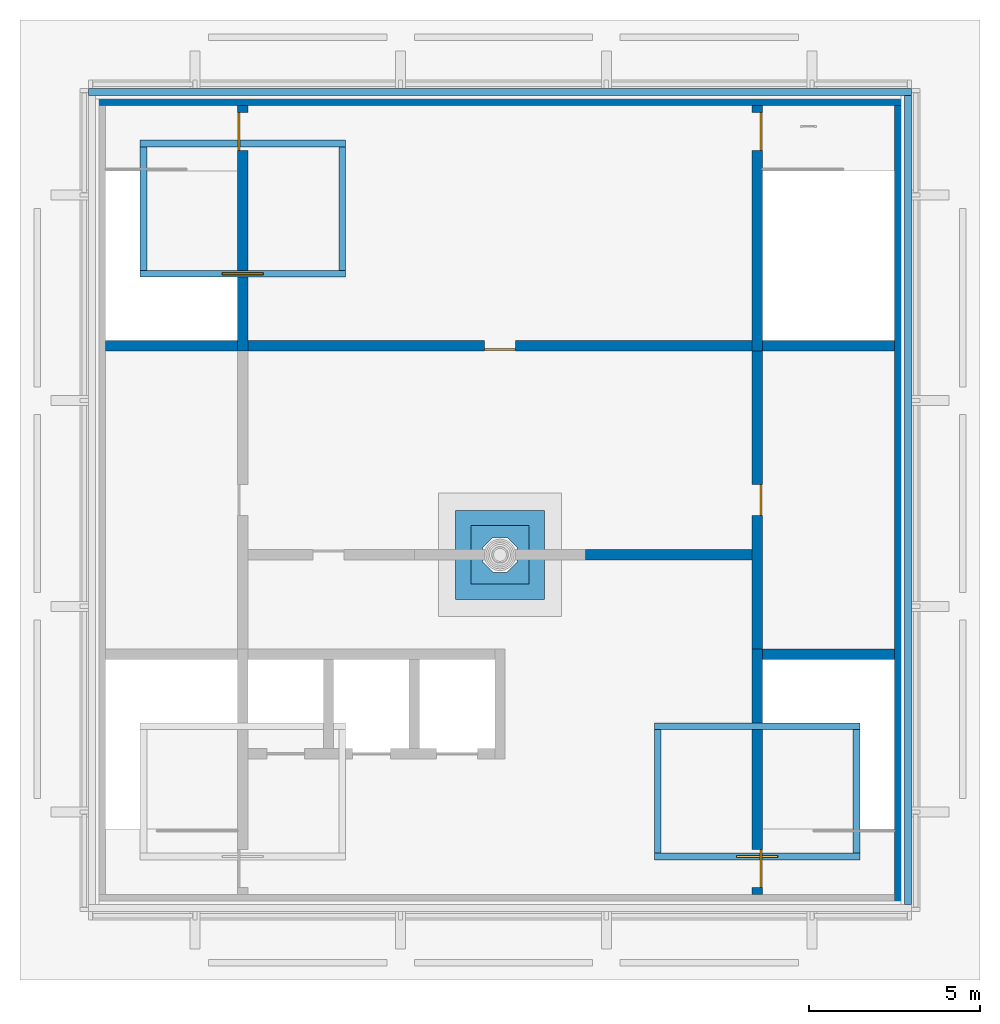
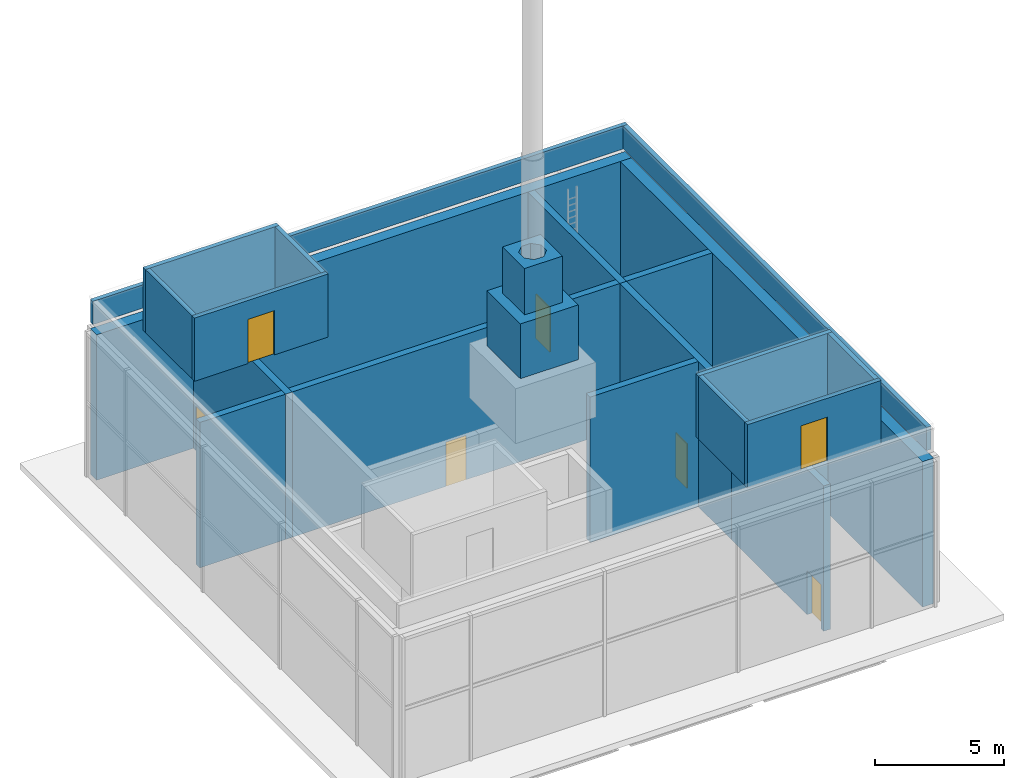
# One storey, part 4 of 8: 23 walls, 7 doors, 7 openings.
"""IFC4 building model written with IfcOpenShell, lengths in metres."""

from ifc_helpers import new_model, si_unit, direction, frame, frame_2d, origin, place, context, subcontext, project, spatial, polyline, rectangle, outline, extrude, material, layer, layer_set, type_object, element, fill, save


model = new_model("IFC4")

# Units and contexts
model_context = context("Model", 3, precision=1e-05, world=origin(), true_north=direction((0.0, 1.0)))
body_context = subcontext(model_context, "Body", "Model", "MODEL_VIEW")
ifc_project = project(units=[si_unit("LENGTHUNIT", "METRE"), si_unit("AREAUNIT", "SQUARE_METRE"), si_unit("VOLUMEUNIT", "CUBIC_METRE"), si_unit("PLANEANGLEUNIT", "RADIAN"), si_unit("MASSUNIT", "GRAM", prefix="KILO")], contexts=[model_context])

# Site, building, storey
site_placement = place(None, origin())
site = spatial("IfcSite", under=ifc_project, at=site_placement, CompositionType="ELEMENT")
building_placement = place(site_placement, origin())
building = spatial("IfcBuilding", under=site, at=building_placement, Name="Amberfall Residences", CompositionType="ELEMENT")
storey_placement = place(building_placement, frame((0.0, 0.0, 301.60009765625)))
storey = spatial("IfcBuildingStorey", under=building, at=storey_placement, Name="L81 Crown", CompositionType="ELEMENT", Elevation=301.60009765625)

# Wall, opening, door
ifc_material_1 = material(Name="Concrete blockwork", Category="masonry")
ifc_layer_1 = layer(ifc_material_1, 0.300048828125)
ifc_layer_set_1 = layer_set([ifc_layer_1], Name="Blockwork partition 300")
wall_type_1 = type_object("IfcWallType", Name="Blockwork partition 300", PredefinedType="PARTITIONING", material=ifc_layer_set_1)
wall_1_placement = place(storey_placement, frame((82.0, 41.14990234375, 0.0), z_axis=(0.0, 0.0, 1.0), x_axis=(0.0, 1.0, 0.0)))
wall_1 = element("IfcWall", 1, at=wall_1_placement, inside=storey, type_object=wall_type_1, Name="L81 Crown core wall W2M", PredefinedType="PARTITIONING", context=body_context, shape_type="SweptSolid", body=[
    extrude(rectangle(XDim=8.7001953125, YDim=0.300048828125, at=frame_2d((4.35009765625, 0.0))), origin(), (0.0, 0.0, 1.0), 6.89990234375),
])
opening_1_placement = place(wall_1_placement, frame((3.89990234375, 0.0, 0.0)))
opening_1 = element("IfcOpeningElement", 2, at=opening_1_placement, cuts=wall_1, Name="Opening RD1", PredefinedType="OPENING", context=body_context, shape_type="SweptSolid", body=[
    extrude(rectangle(XDim=0.89990234375, YDim=2.10009765625, at=frame_2d((0.449951171875, 1.050048828125))), frame((0.0, 0.159912109375, 0.0), z_axis=(0.0, -1.0, 0.0), x_axis=(1.0, 0.0, 0.0)), (0.0, 0.0, 1.0), 0.320068359375),
])
ifc_material_2 = material(Name="Steel fire door set", Category="steel")
door_type_1 = type_object("IfcDoorType", Name="Service room door 900 x 2100", OperationType="SINGLE_SWING_LEFT", PredefinedType="DOOR", material=ifc_material_2)
door_1_placement = place(opening_1_placement, origin())
door_1 = element("IfcDoor", 3, at=door_1_placement, inside=storey, type_object=door_type_1, Name="RD1 L81 Crown", OperationType="SINGLE_SWING_RIGHT", OverallHeight=2.10009765625, OverallWidth=0.89990234375, PredefinedType="DOOR", context=body_context, shape_type="SweptSolid", body=[
    extrude(rectangle(XDim=0.89990234375, YDim=2.10009765625, at=frame_2d((0.449951171875, 1.050048828125))), frame((0.0, -0.08740234375, 0.0), z_axis=(0.0, -1.0, 0.0), x_axis=(1.0, 0.0, 0.0)), (0.0, 0.0, 1.0), 0.050048828125),
])
fill(opening_1, door_1)

wall_2_placement = place(storey_placement, frame((67.14990234375, 50.0, 0.0), z_axis=(0.0, 0.0, 1.0), x_axis=(1.0, 0.0, 0.0)))
wall_2 = element("IfcWall", 4, at=wall_2_placement, inside=storey, type_object=wall_type_1, Name="L81 Crown core wall W5", PredefinedType="PARTITIONING", context=body_context, shape_type="SweptSolid", body=[
    extrude(rectangle(XDim=14.7001953125, YDim=0.300048828125, at=frame_2d((7.35009765625, 0.0))), origin(), (0.0, 0.0, 1.0), 6.89990234375),
])
opening_2_placement = place(wall_2_placement, frame((6.89990234375, 0.0, 0.0)))
opening_2 = element("IfcOpeningElement", 5, at=opening_2_placement, cuts=wall_2, Name="Opening RD1", PredefinedType="OPENING", context=body_context, shape_type="SweptSolid", body=[
    extrude(rectangle(XDim=0.89990234375, YDim=2.10009765625, at=frame_2d((0.449951171875, 1.050048828125))), frame((0.0, 0.159912109375, 0.0), z_axis=(0.0, -1.0, 0.0), x_axis=(1.0, 0.0, 0.0)), (0.0, 0.0, 1.0), 0.320068359375),
])
door_2_placement = place(opening_2_placement, origin())
door_2 = element("IfcDoor", 6, at=door_2_placement, inside=storey, type_object=door_type_1, Name="RD1 L81 Crown", OperationType="SINGLE_SWING_RIGHT", OverallHeight=2.10009765625, OverallWidth=0.89990234375, PredefinedType="DOOR", context=body_context, shape_type="SweptSolid", body=[
    extrude(rectangle(XDim=0.89990234375, YDim=2.10009765625, at=frame_2d((0.449951171875, 1.050048828125))), frame((0.0, -0.08740234375, 0.0), z_axis=(0.0, -1.0, 0.0), x_axis=(1.0, 0.0, 0.0)), (0.0, 0.0, 1.0), 0.050048828125),
])
fill(opening_2, door_2)

# Walls
wall_3_placement = place(storey_placement, frame((77.0, 43.89990234375, 0.0), z_axis=(0.0, 0.0, 1.0), x_axis=(1.0, 0.0, 0.0)))
element("IfcWall", 7, at=wall_3_placement, inside=storey, type_object=wall_type_1, Name="L81 Crown core wall W6e", PredefinedType="PARTITIONING", context=body_context, shape_type="SweptSolid", body=[
    extrude(rectangle(XDim=4.85009765625, YDim=0.300048828125, at=frame_2d((2.425048828125, 0.0))), origin(), (0.0, 0.0, 1.0), 6.89990234375),
])
ifc_material_3 = material(Name="Concrete C50", Category="concrete")
ifc_layer_2 = layer(ifc_material_3, 0.5)
ifc_layer_set_2 = layer_set([ifc_layer_2], Name="Core wall 500 C50")
wall_type_2 = type_object("IfcWallType", Name="Core wall 500 C50", PredefinedType="SHEAR", material=ifc_layer_set_2)
for number, where, z_axis, x_axis, name in (
    (8, (62.5, 57.25, 0.0), (0.0, 0.0, 1.0), (1.0, 0.0, 0.0), "Core wall RW9 L81 Crown ON"),
    (9, (86.25, 33.5, 0.0), (0.0, 0.0, 1.0), (0.0, 1.0, 0.0), "Core wall RW9 L81 Crown OE"),
):
    element("IfcWall", number, at=place(storey_placement, frame(where, z_axis=z_axis, x_axis=x_axis)), inside=storey, type_object=wall_type_2, Name=name, PredefinedType="SHEAR", context=body_context, shape_type="SweptSolid", body=[
        extrude(rectangle(XDim=24.0, YDim=0.5, at=frame_2d((12.0, 0.0))), origin(), (0.0, 0.0, 1.0), 6.89990234375),
    ])
ifc_material_4 = material(Name="Reinforced concrete C50", Category="concrete")
ifc_layer_3 = layer(ifc_material_4, 0.199951171875)
ifc_layer_set_3 = layer_set([ifc_layer_3], Name="Roof parapet 200")
wall_type_3 = type_object("IfcWallType", Name="Roof parapet 200", PredefinedType="PARAPET", material=ifc_layer_set_3)
wall_4_placement = place(storey_placement, frame((62.5, 57.39990234375, 7.199951171875), z_axis=(0.0, 0.0, 1.0), x_axis=(1.0, 0.0, 0.0)))
element("IfcWall", 10, at=wall_4_placement, inside=storey, type_object=wall_type_3, Name="Roof parapet N", PredefinedType="PARAPET", context=body_context, shape_type="SweptSolid", body=[
    extrude(rectangle(XDim=24.0, YDim=0.199951171875, at=frame_2d((12.0, 0.0))), origin(), (0.0, 0.0, 1.0), 1.099853515625),
])
wall_5_placement = place(storey_placement, frame((86.39990234375, 33.699951171875, 7.199951171875), z_axis=(0.0, 0.0, 1.0), x_axis=(0.0, 1.0, 0.0)))
element("IfcWall", 11, at=wall_5_placement, inside=storey, type_object=wall_type_3, Name="Roof parapet E", PredefinedType="PARAPET", context=body_context, shape_type="SweptSolid", body=[
    extrude(rectangle(XDim=23.60009765625, YDim=0.199951171875, at=frame_2d((11.800048828125, 0.0))), origin(), (0.0, 0.0, 1.0), 1.099853515625),
])

# Wall, opening, door
ifc_material_5 = material(Name="Aluminium louvre panel in steel frame", Category="steel")
ifc_layer_4 = layer(ifc_material_5, 0.199951171875)
ifc_layer_set_4 = layer_set([ifc_layer_4], Name="Roof plant louvre wall 200")
wall_type_4 = type_object("IfcWallType", Name="Roof plant louvre wall 200", PredefinedType="SOLIDWALL", material=ifc_layer_set_4)
wall_6_placement = place(storey_placement, frame((79.0, 35.10009765625, 7.199951171875), z_axis=(0.0, 0.0, 1.0), x_axis=(1.0, 0.0, 0.0)))
wall_6 = element("IfcWall", 12, at=wall_6_placement, inside=storey, type_object=wall_type_4, Name="Roof plant enclosure 2 S louvre", PredefinedType="SOLIDWALL", context=body_context, shape_type="SweptSolid", body=[
    extrude(rectangle(XDim=6.0, YDim=0.199951171875, at=frame_2d((3.0, 0.0))), origin(), (0.0, 0.0, 1.0), 3.0),
])
opening_3_placement = place(wall_6_placement, frame((2.39990234375, 0.0, 0.0)))
opening_3 = element("IfcOpeningElement", 13, at=opening_3_placement, cuts=wall_6, Name="Opening D16", PredefinedType="OPENING", context=body_context, shape_type="SweptSolid", body=[
    extrude(rectangle(XDim=1.199951171875, YDim=2.10009765625, at=frame_2d((0.60009765625, 1.050048828125))), frame((0.0, 0.10986328125, 0.0), z_axis=(0.0, -1.0, 0.0), x_axis=(1.0, 0.0, 0.0)), (0.0, 0.0, 1.0), 0.219970703125),
])
ifc_material_6 = material(Name="Louvred galvanised steel door leaf", Category="steel")
door_type_2 = type_object("IfcDoorType", Name="Plant enclosure louvred door 1200x2100", OperationType="SINGLE_SWING_LEFT", PredefinedType="DOOR", material=ifc_material_6)
door_3_placement = place(opening_3_placement, origin())
door_3 = element("IfcDoor", 14, at=door_3_placement, inside=storey, type_object=door_type_2, Name="Roof plant enclosure 2 door", OperationType="SINGLE_SWING_LEFT", OverallHeight=2.10009765625, OverallWidth=1.199951171875, PredefinedType="DOOR", context=body_context, shape_type="SweptSolid", body=[
    extrude(rectangle(XDim=1.199951171875, YDim=2.10009765625, at=frame_2d((0.60009765625, 1.050048828125))), frame((0.0, 0.02490234375, 0.0), z_axis=(0.0, -1.0, 0.0), x_axis=(1.0, 0.0, 0.0)), (0.0, 0.0, 1.0), 0.050048828125),
])
fill(opening_3, door_3)

# Walls
wall_7_placement = place(storey_placement, frame((79.0, 38.89990234375, 7.199951171875), z_axis=(0.0, 0.0, 1.0), x_axis=(1.0, 0.0, 0.0)))
element("IfcWall", 15, at=wall_7_placement, inside=storey, type_object=wall_type_4, Name="Roof plant enclosure 2 N louvre", PredefinedType="SOLIDWALL", context=body_context, shape_type="SweptSolid", body=[
    extrude(rectangle(XDim=6.0, YDim=0.199951171875, at=frame_2d((3.0, 0.0))), origin(), (0.0, 0.0, 1.0), 3.0),
])
for number, where, z_axis, x_axis, name in (
    (16, (79.10009765625, 35.199951171875, 7.199951171875), (0.0, 0.0, 1.0), (0.0, 1.0, 0.0), "Roof plant enclosure 2 W louvre"),
    (17, (84.89990234375, 35.199951171875, 7.199951171875), (0.0, 0.0, 1.0), (0.0, 1.0, 0.0), "Roof plant enclosure 2 E louvre"),
):
    element("IfcWall", number, at=place(storey_placement, frame(where, z_axis=z_axis, x_axis=x_axis)), inside=storey, type_object=wall_type_4, Name=name, PredefinedType="SOLIDWALL", context=body_context, shape_type="SweptSolid", body=[
        extrude(rectangle(XDim=3.60009765625, YDim=0.199951171875, at=frame_2d((1.800048828125, 0.0))), origin(), (0.0, 0.0, 1.0), 3.0),
    ])

# Wall, opening, door
wall_8_placement = place(storey_placement, frame((64.0, 52.10009765625, 7.199951171875), z_axis=(0.0, 0.0, 1.0), x_axis=(1.0, 0.0, 0.0)))
wall_8 = element("IfcWall", 18, at=wall_8_placement, inside=storey, type_object=wall_type_4, Name="Roof plant enclosure 3 S louvre", PredefinedType="SOLIDWALL", context=body_context, shape_type="SweptSolid", body=[
    extrude(rectangle(XDim=6.0, YDim=0.199951171875, at=frame_2d((3.0, 0.0))), origin(), (0.0, 0.0, 1.0), 3.0),
])
opening_4_placement = place(wall_8_placement, frame((2.39990234375, 0.0, 0.0)))
opening_4 = element("IfcOpeningElement", 19, at=opening_4_placement, cuts=wall_8, Name="Opening D16", PredefinedType="OPENING", context=body_context, shape_type="SweptSolid", body=[
    extrude(rectangle(XDim=1.199951171875, YDim=2.10009765625, at=frame_2d((0.60009765625, 1.050048828125))), frame((0.0, 0.10986328125, 0.0), z_axis=(0.0, -1.0, 0.0), x_axis=(1.0, 0.0, 0.0)), (0.0, 0.0, 1.0), 0.219970703125),
])
door_4_placement = place(opening_4_placement, origin())
door_4 = element("IfcDoor", 20, at=door_4_placement, inside=storey, type_object=door_type_2, Name="Roof plant enclosure 3 door", OperationType="SINGLE_SWING_LEFT", OverallHeight=2.10009765625, OverallWidth=1.199951171875, PredefinedType="DOOR", context=body_context, shape_type="SweptSolid", body=[
    extrude(rectangle(XDim=1.199951171875, YDim=2.10009765625, at=frame_2d((0.60009765625, 1.050048828125))), frame((0.0, 0.02490234375, 0.0), z_axis=(0.0, -1.0, 0.0), x_axis=(1.0, 0.0, 0.0)), (0.0, 0.0, 1.0), 0.050048828125),
])
fill(opening_4, door_4)

# Walls
wall_9_placement = place(storey_placement, frame((64.0, 55.89990234375, 7.199951171875), z_axis=(0.0, 0.0, 1.0), x_axis=(1.0, 0.0, 0.0)))
element("IfcWall", 21, at=wall_9_placement, inside=storey, type_object=wall_type_4, Name="Roof plant enclosure 3 N louvre", PredefinedType="SOLIDWALL", context=body_context, shape_type="SweptSolid", body=[
    extrude(rectangle(XDim=6.0, YDim=0.199951171875, at=frame_2d((3.0, 0.0))), origin(), (0.0, 0.0, 1.0), 3.0),
])
for number, where, z_axis, x_axis, name in (
    (22, (64.10009765625, 52.199951171875, 7.199951171875), (0.0, 0.0, 1.0), (0.0, 1.0, 0.0), "Roof plant enclosure 3 W louvre"),
    (23, (69.89990234375, 52.199951171875, 7.199951171875), (0.0, 0.0, 1.0), (0.0, 1.0, 0.0), "Roof plant enclosure 3 E louvre"),
):
    element("IfcWall", number, at=place(storey_placement, frame(where, z_axis=z_axis, x_axis=x_axis)), inside=storey, type_object=wall_type_4, Name=name, PredefinedType="SOLIDWALL", context=body_context, shape_type="SweptSolid", body=[
        extrude(rectangle(XDim=3.60009765625, YDim=0.199951171875, at=frame_2d((1.800048828125, 0.0))), origin(), (0.0, 0.0, 1.0), 3.0),
    ])
ifc_material_7 = material(Name="Reinforced concrete C50 with stone facing", Category="masonry")
ifc_layer_5 = layer(ifc_material_7, 0.5)
ifc_layer_set_5 = layer_set([ifc_layer_5], Name="Spire base block 2")
wall_type_5 = type_object("IfcWallType", Name="Spire base block 2", PredefinedType="SOLIDWALL", material=ifc_layer_set_5)
wall_10_placement = place(storey_placement, frame((0.0, 0.0, 9.7998046875)))
element("IfcWall", 24, at=wall_10_placement, inside=storey, type_object=wall_type_5, Name="Spire base", PredefinedType="SOLIDWALL", context=body_context, shape_type="SweptSolid", body=[
    extrude(outline(polyline([(73.199951171875, 42.60009765625), (75.800048828125, 42.60009765625), (75.800048828125, 45.199951171875), (73.199951171875, 45.199951171875), (73.199951171875, 42.60009765625)]), holes=[polyline([(75.008056640625, 44.110595703125), (74.71044921875, 44.408203125), (74.28955078125, 44.408203125), (73.991943359375, 44.110595703125), (73.991943359375, 43.689453125), (74.28955078125, 43.391845703125), (74.71044921875, 43.391845703125), (75.008056640625, 43.689453125), (75.008056640625, 44.110595703125)])]), origin(), (0.0, 0.0, 1.0), 2.60009765625),
])
ifc_layer_6 = layer(ifc_material_7, 0.5)
ifc_layer_set_6 = layer_set([ifc_layer_6], Name="Spire base block 3")
wall_type_6 = type_object("IfcWallType", Name="Spire base block 3", PredefinedType="SOLIDWALL", material=ifc_layer_set_6)
wall_11_placement = place(storey_placement, frame((0.0, 0.0, 12.39990234375)))
element("IfcWall", 25, at=wall_11_placement, inside=storey, type_object=wall_type_6, Name="Spire base", PredefinedType="SOLIDWALL", context=body_context, shape_type="SweptSolid", body=[
    extrude(outline(polyline([(73.64990234375, 43.050048828125), (75.35009765625, 43.050048828125), (75.35009765625, 44.75), (73.64990234375, 44.75), (73.64990234375, 43.050048828125)]), holes=[polyline([(75.008056640625, 44.110595703125), (74.71044921875, 44.408203125), (74.28955078125, 44.408203125), (73.991943359375, 44.110595703125), (73.991943359375, 43.689453125), (74.28955078125, 43.391845703125), (74.71044921875, 43.391845703125), (75.008056640625, 43.689453125), (75.008056640625, 44.110595703125)])]), origin(), (0.0, 0.0, 1.0), 2.199951171875),
])

# Wall, opening, door
ifc_layer_7 = layer(ifc_material_3, 0.300048828125)
ifc_layer_set_7 = layer_set([ifc_layer_7], Name="Stair well wall 300 C50")
wall_type_7 = type_object("IfcWallType", Name="Stair well wall 300 C50", PredefinedType="SHEAR", material=ifc_layer_set_7)
wall_12_placement = place(storey_placement, frame((67.0, 49.85009765625, 0.0), z_axis=(0.0, 0.0, 1.0), x_axis=(0.0, 1.0, 0.0)))
wall_12 = element("IfcWall", 26, at=wall_12_placement, inside=storey, type_object=wall_type_7, Name="L81 Crown stair well wall W1N", PredefinedType="SHEAR", context=body_context, shape_type="SweptSolid", body=[
    extrude(rectangle(XDim=7.14990234375, YDim=0.300048828125, at=frame_2d((3.574951171875, 0.0))), origin(), (0.0, 0.0, 1.0), 6.89990234375),
])
opening_5_placement = place(wall_12_placement, frame((5.85009765625, 0.0, 0.0)))
opening_5 = element("IfcOpeningElement", 27, at=opening_5_placement, cuts=wall_12, Name="Opening SD1", PredefinedType="OPENING", context=body_context, shape_type="SweptSolid", body=[
    extrude(rectangle(XDim=1.10009765625, YDim=2.10009765625, at=frame_2d((0.550048828125, 1.050048828125))), frame((0.0, 0.159912109375, 0.0), z_axis=(0.0, -1.0, 0.0), x_axis=(1.0, 0.0, 0.0)), (0.0, 0.0, 1.0), 0.320068359375),
])
door_type_3 = type_object("IfcDoorType", Name="Stair door 1100 x 2100", OperationType="SINGLE_SWING_LEFT", PredefinedType="DOOR", material=ifc_material_2)
door_5_placement = place(opening_5_placement, origin())
door_5 = element("IfcDoor", 28, at=door_5_placement, inside=storey, type_object=door_type_3, Name="SD1 L81 Crown", OperationType="SINGLE_SWING_LEFT", OverallHeight=2.10009765625, OverallWidth=1.10009765625, PredefinedType="DOOR", context=body_context, shape_type="SweptSolid", body=[
    extrude(rectangle(XDim=1.10009765625, YDim=2.10009765625, at=frame_2d((0.550048828125, 1.050048828125))), frame((0.0, 0.1376953125, 0.0), z_axis=(0.0, -1.0, 0.0), x_axis=(1.0, 0.0, 0.0)), (0.0, 0.0, 1.0), 0.050048828125),
])
fill(opening_5, door_5)

wall_13_placement = place(storey_placement, frame((82.0, 34.0, 0.0), z_axis=(0.0, 0.0, 1.0), x_axis=(0.0, 1.0, 0.0)))
wall_13 = element("IfcWall", 29, at=wall_13_placement, inside=storey, type_object=wall_type_7, Name="L81 Crown stair well wall W2S", PredefinedType="SHEAR", context=body_context, shape_type="SweptSolid", body=[
    extrude(rectangle(XDim=7.14990234375, YDim=0.300048828125, at=frame_2d((3.574951171875, 0.0))), origin(), (0.0, 0.0, 1.0), 6.89990234375),
])
opening_6_placement = place(wall_13_placement, frame((0.199951171875, 0.0, 0.0)))
opening_6 = element("IfcOpeningElement", 30, at=opening_6_placement, cuts=wall_13, Name="Opening SD1", PredefinedType="OPENING", context=body_context, shape_type="SweptSolid", body=[
    extrude(rectangle(XDim=1.10009765625, YDim=2.10009765625, at=frame_2d((0.550048828125, 1.050048828125))), frame((0.0, 0.159912109375, 0.0), z_axis=(0.0, -1.0, 0.0), x_axis=(1.0, 0.0, 0.0)), (0.0, 0.0, 1.0), 0.320068359375),
])
door_6_placement = place(opening_6_placement, origin())
door_6 = element("IfcDoor", 31, at=door_6_placement, inside=storey, type_object=door_type_3, Name="SD1 L81 Crown", OperationType="SINGLE_SWING_RIGHT", OverallHeight=2.10009765625, OverallWidth=1.10009765625, PredefinedType="DOOR", context=body_context, shape_type="SweptSolid", body=[
    extrude(rectangle(XDim=1.10009765625, YDim=2.10009765625, at=frame_2d((0.550048828125, 1.050048828125))), frame((0.0, -0.08740234375, 0.0), z_axis=(0.0, -1.0, 0.0), x_axis=(1.0, 0.0, 0.0)), (0.0, 0.0, 1.0), 0.050048828125),
])
fill(opening_6, door_6)

wall_14_placement = place(storey_placement, frame((82.0, 49.85009765625, 0.0), z_axis=(0.0, 0.0, 1.0), x_axis=(0.0, 1.0, 0.0)))
wall_14 = element("IfcWall", 32, at=wall_14_placement, inside=storey, type_object=wall_type_7, Name="L81 Crown stair well wall W2N", PredefinedType="SHEAR", context=body_context, shape_type="SweptSolid", body=[
    extrude(rectangle(XDim=7.14990234375, YDim=0.300048828125, at=frame_2d((3.574951171875, 0.0))), origin(), (0.0, 0.0, 1.0), 6.89990234375),
])
opening_7_placement = place(wall_14_placement, frame((5.85009765625, 0.0, 0.0)))
opening_7 = element("IfcOpeningElement", 33, at=opening_7_placement, cuts=wall_14, Name="Opening SD1", PredefinedType="OPENING", context=body_context, shape_type="SweptSolid", body=[
    extrude(rectangle(XDim=1.10009765625, YDim=2.10009765625, at=frame_2d((0.550048828125, 1.050048828125))), frame((0.0, 0.159912109375, 0.0), z_axis=(0.0, -1.0, 0.0), x_axis=(1.0, 0.0, 0.0)), (0.0, 0.0, 1.0), 0.320068359375),
])
door_7_placement = place(opening_7_placement, origin())
door_7 = element("IfcDoor", 34, at=door_7_placement, inside=storey, type_object=door_type_3, Name="SD1 L81 Crown", OperationType="SINGLE_SWING_RIGHT", OverallHeight=2.10009765625, OverallWidth=1.10009765625, PredefinedType="DOOR", context=body_context, shape_type="SweptSolid", body=[
    extrude(rectangle(XDim=1.10009765625, YDim=2.10009765625, at=frame_2d((0.550048828125, 1.050048828125))), frame((0.0, -0.08740234375, 0.0), z_axis=(0.0, -1.0, 0.0), x_axis=(1.0, 0.0, 0.0)), (0.0, 0.0, 1.0), 0.050048828125),
])
fill(opening_7, door_7)

# Walls
for number, where, z_axis, x_axis, name in (
    (35, (82.14990234375, 41.0, 0.0), (0.0, 0.0, 1.0), (1.0, 0.0, 0.0), "L81 Crown stair well wall W3e"),
    (36, (63.0, 50.0, 0.0), (0.0, 0.0, 1.0), (1.0, 0.0, 0.0), "L81 Crown stair well wall W4"),
    (37, (82.14990234375, 50.0, 0.0), (0.0, 0.0, 1.0), (1.0, 0.0, 0.0), "L81 Crown stair well wall W4e"),
):
    element("IfcWall", number, at=place(storey_placement, frame(where, z_axis=z_axis, x_axis=x_axis)), inside=storey, type_object=wall_type_7, Name=name, PredefinedType="SHEAR", context=body_context, shape_type="SweptSolid", body=[
        extrude(rectangle(XDim=3.85009765625, YDim=0.300048828125, at=frame_2d((1.925048828125, 0.0))), origin(), (0.0, 0.0, 1.0), 6.89990234375),
    ])

save(model, "model.ifc")
